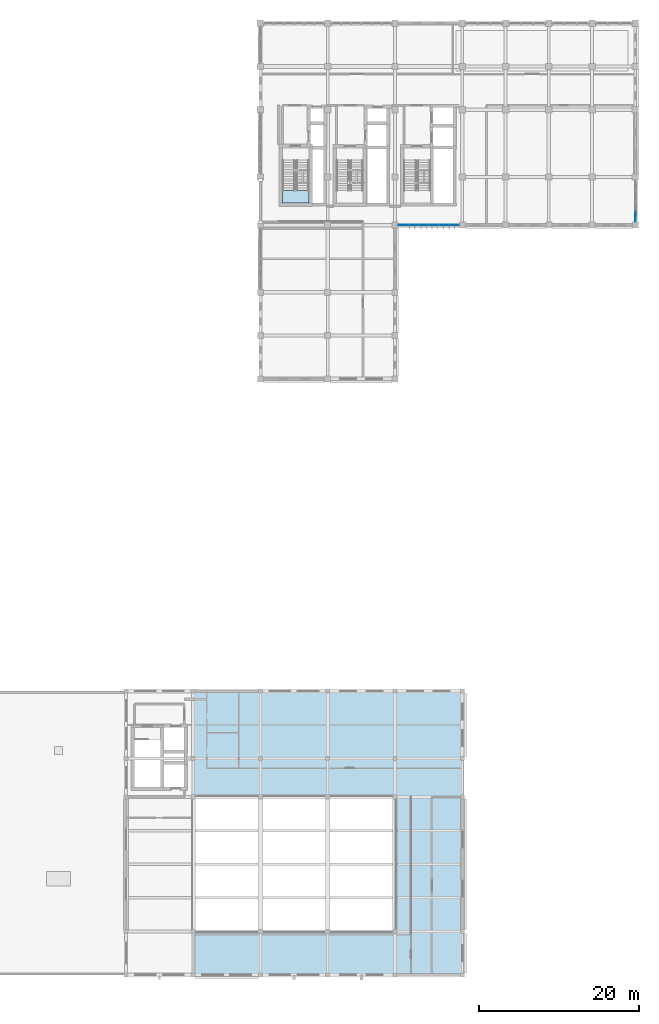
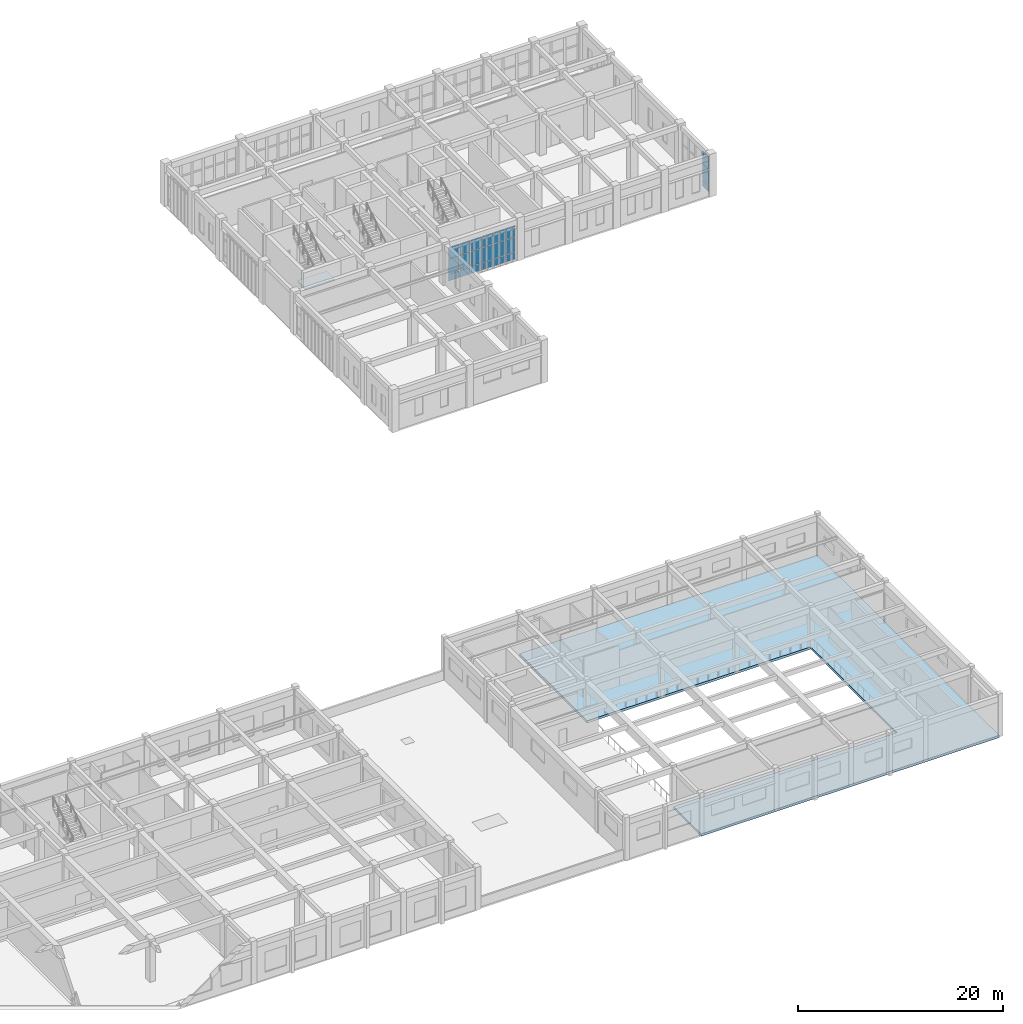
# One storey, part 51 of 77: 21 plates, 2 slabs, 3 elements without a shape of their own.
"""IFC4 building model written with IfcOpenShell, lengths in metres."""

from ifc_helpers import new_model, si_unit, direction, frame, origin, origin_2d, place, context, subcontext, project, spatial, polyline, rectangle, outline, extrude, material, layer, layer_set, type_object, element, aggregate, save


model = new_model("IFC4")

# Units and contexts
model_context = context("Model", 3, precision=1e-05, world=origin(), true_north=direction((0.0, 1.0)))
body_context = subcontext(model_context, "Body", "Model", "MODEL_VIEW")
ifc_project = project(units=[si_unit("LENGTHUNIT", "METRE"), si_unit("AREAUNIT", "SQUARE_METRE"), si_unit("VOLUMEUNIT", "CUBIC_METRE"), si_unit("PLANEANGLEUNIT", "RADIAN"), si_unit("MASSUNIT", "GRAM", prefix="KILO")], contexts=[model_context])

# Site, building, storey
site_placement = place(None, origin())
site = spatial("IfcSite", under=ifc_project, at=site_placement, CompositionType="ELEMENT")
building_placement = place(site_placement, origin())
building = spatial("IfcBuilding", under=site, at=building_placement, Name="Krzemoval Escarpment Law Courts", CompositionType="ELEMENT")
storey_placement = place(building_placement, frame((0.0, 0.0, 15.300048828125)))
storey = spatial("IfcBuildingStorey", under=building, at=storey_placement, Name="L03", CompositionType="ELEMENT", Elevation=15.300048828125)

# Curtain wall, plates
ifc_material_1 = material(Name="Aluminium 6063-T6", Category="aluminium")
ifc_layer_1 = layer(ifc_material_1, 0.239990234375)
ifc_layer_set_1 = layer_set([ifc_layer_1], Name="Aluminium 6063-T6")
curtain_wall_type = type_object("IfcCurtainWallType", Name="CW-CHMB-4800", PredefinedType="USERDEFINED", material=ifc_layer_set_1)
curtain_wall_1_placement = place(storey_placement, origin())
curtain_wall_1 = element("IfcCurtainWall", 1, at=curtain_wall_1_placement, inside=storey, type_object=curtain_wall_type, Name="Unitised Curtain Wall FCW-L03-120", ObjectType="UNITISED_CURTAIN_WALL", PredefinedType="USERDEFINED")
ifc_material_2 = material(Name="Triple Glazing IGU", Category="glass")
ifc_layer_2 = layer(ifc_material_2, 0.048095703125)
ifc_layer_set_2 = layer_set([ifc_layer_2], Name="Triple Glazing IGU")
plate_type = type_object("IfcPlateType", Name="CWP-GLZ-48", PredefinedType="CURTAIN_PANEL", material=ifc_layer_set_2)
plate_1_placement = place(storey_placement, frame((172.800048828125, 94.64697265625, 0.074951171875), z_axis=(0.0, 0.0, 1.0), x_axis=(0.0, -1.0, 0.0)))
plate_1 = element("IfcPlate", 2, at=plate_1_placement, type_object=plate_type, Name="FCW-L03-120 panel 4.1", PredefinedType="CURTAIN_PANEL", context=body_context, shape_type="SweptSolid", body=[
    extrude(rectangle(XDim=1.19384765625, YDim=0.048095703125, at=origin_2d()), origin(), (0.0, 0.0, 1.0), 0.78759765625),
])
plate_2_placement = place(storey_placement, frame((172.800048828125, 94.64697265625, 0.9375), z_axis=(0.0, 0.0, 1.0), x_axis=(0.0, -1.0, 0.0)))
plate_2 = element("IfcPlate", 3, at=plate_2_placement, type_object=plate_type, Name="FCW-L03-120 panel 4.2", PredefinedType="CURTAIN_PANEL", context=body_context, shape_type="SweptSolid", body=[
    extrude(rectangle(XDim=1.19384765625, YDim=0.048095703125, at=origin_2d()), origin(), (0.0, 0.0, 1.0), 1.72509765625),
])
plate_3_placement = place(storey_placement, frame((172.800048828125, 94.64697265625, 2.737548828125), z_axis=(0.0, 0.0, 1.0), x_axis=(0.0, -1.0, 0.0)))
plate_3 = element("IfcPlate", 4, at=plate_3_placement, type_object=plate_type, Name="FCW-L03-120 panel 4.3", PredefinedType="CURTAIN_PANEL", context=body_context, shape_type="SweptSolid", body=[
    extrude(rectangle(XDim=1.19384765625, YDim=0.048095703125, at=origin_2d()), origin(), (0.0, 0.0, 1.0), 1.4775390625),
])
aggregate(curtain_wall_1, [plate_1, plate_2, plate_3])

curtain_wall_2_placement = place(storey_placement, origin())
curtain_wall_2 = element("IfcCurtainWall", 5, at=curtain_wall_2_placement, inside=storey, type_object=curtain_wall_type, Name="Unitised Curtain Wall FCW-L03-121", ObjectType="UNITISED_CURTAIN_WALL", PredefinedType="USERDEFINED")
plate_4_placement = place(storey_placement, frame((150.168701171875, 93.60009765625, 0.074951171875), z_axis=(0.0, 0.0, 1.0), x_axis=(-1.0, 0.0, 0.0)))
plate_4 = element("IfcPlate", 6, at=plate_4_placement, type_object=plate_type, Name="FCW-L03-121 panel 1.1", PredefinedType="CURTAIN_PANEL", context=body_context, shape_type="SweptSolid", body=[
    extrude(rectangle(XDim=1.16259765625, YDim=0.048095703125, at=origin_2d()), origin(), (0.0, 0.0, 1.0), 0.78759765625),
])
plate_5_placement = place(storey_placement, frame((150.168701171875, 93.60009765625, 0.9375), z_axis=(0.0, 0.0, 1.0), x_axis=(-1.0, 0.0, 0.0)))
plate_5 = element("IfcPlate", 7, at=plate_5_placement, type_object=plate_type, Name="FCW-L03-121 panel 1.2", PredefinedType="CURTAIN_PANEL", context=body_context, shape_type="SweptSolid", body=[
    extrude(rectangle(XDim=1.16259765625, YDim=0.048095703125, at=origin_2d()), origin(), (0.0, 0.0, 1.0), 1.72509765625),
])
plate_6_placement = place(storey_placement, frame((150.168701171875, 93.60009765625, 2.7373046875), z_axis=(0.0, 0.0, 1.0), x_axis=(-1.0, 0.0, 0.0)))
plate_6 = element("IfcPlate", 8, at=plate_6_placement, type_object=plate_type, Name="FCW-L03-121 panel 1.3", PredefinedType="CURTAIN_PANEL", context=body_context, shape_type="SweptSolid", body=[
    extrude(rectangle(XDim=1.16259765625, YDim=0.048095703125, at=origin_2d()), origin(), (0.0, 0.0, 1.0), 1.327392578125),
])
plate_7_placement = place(storey_placement, frame((148.91259765625, 93.60009765625, 0.074951171875), z_axis=(0.0, 0.0, 1.0), x_axis=(-1.0, 0.0, 0.0)))
plate_7 = element("IfcPlate", 9, at=plate_7_placement, type_object=plate_type, Name="FCW-L03-121 panel 2.1", PredefinedType="CURTAIN_PANEL", context=body_context, shape_type="SweptSolid", body=[
    extrude(rectangle(XDim=1.199951171875, YDim=0.048095703125, at=origin_2d()), origin(), (0.0, 0.0, 1.0), 0.78759765625),
])
plate_8_placement = place(storey_placement, frame((148.91259765625, 93.60009765625, 0.9375), z_axis=(0.0, 0.0, 1.0), x_axis=(-1.0, 0.0, 0.0)))
plate_8 = element("IfcPlate", 10, at=plate_8_placement, type_object=plate_type, Name="FCW-L03-121 panel 2.2", PredefinedType="CURTAIN_PANEL", context=body_context, shape_type="SweptSolid", body=[
    extrude(rectangle(XDim=1.199951171875, YDim=0.048095703125, at=origin_2d()), origin(), (0.0, 0.0, 1.0), 1.72509765625),
])
plate_9_placement = place(storey_placement, frame((148.91259765625, 93.60009765625, 2.7373046875), z_axis=(0.0, 0.0, 1.0), x_axis=(-1.0, 0.0, 0.0)))
plate_9 = element("IfcPlate", 11, at=plate_9_placement, type_object=plate_type, Name="FCW-L03-121 panel 2.3", PredefinedType="CURTAIN_PANEL", context=body_context, shape_type="SweptSolid", body=[
    extrude(rectangle(XDim=1.199951171875, YDim=0.048095703125, at=origin_2d()), origin(), (0.0, 0.0, 1.0), 1.327392578125),
])
plate_10_placement = place(storey_placement, frame((147.637451171875, 93.60009765625, 0.074951171875), z_axis=(0.0, 0.0, 1.0), x_axis=(-1.0, 0.0, 0.0)))
plate_10 = element("IfcPlate", 12, at=plate_10_placement, type_object=plate_type, Name="FCW-L03-121 panel 3.1", PredefinedType="CURTAIN_PANEL", context=body_context, shape_type="SweptSolid", body=[
    extrude(rectangle(XDim=1.199951171875, YDim=0.048095703125, at=origin_2d()), origin(), (0.0, 0.0, 1.0), 0.78759765625),
])
plate_11_placement = place(storey_placement, frame((147.637451171875, 93.60009765625, 0.9375), z_axis=(0.0, 0.0, 1.0), x_axis=(-1.0, 0.0, 0.0)))
plate_11 = element("IfcPlate", 13, at=plate_11_placement, type_object=plate_type, Name="FCW-L03-121 panel 3.2", PredefinedType="CURTAIN_PANEL", context=body_context, shape_type="SweptSolid", body=[
    extrude(rectangle(XDim=1.199951171875, YDim=0.048095703125, at=origin_2d()), origin(), (0.0, 0.0, 1.0), 1.72509765625),
])
plate_12_placement = place(storey_placement, frame((147.637451171875, 93.60009765625, 2.7373046875), z_axis=(0.0, 0.0, 1.0), x_axis=(-1.0, 0.0, 0.0)))
plate_12 = element("IfcPlate", 14, at=plate_12_placement, type_object=plate_type, Name="FCW-L03-121 panel 3.3", PredefinedType="CURTAIN_PANEL", context=body_context, shape_type="SweptSolid", body=[
    extrude(rectangle(XDim=1.199951171875, YDim=0.048095703125, at=origin_2d()), origin(), (0.0, 0.0, 1.0), 1.327392578125),
])
plate_13_placement = place(storey_placement, frame((146.362548828125, 93.60009765625, 0.074951171875), z_axis=(0.0, 0.0, 1.0), x_axis=(-1.0, 0.0, 0.0)))
plate_13 = element("IfcPlate", 15, at=plate_13_placement, type_object=plate_type, Name="FCW-L03-121 panel 4.1", PredefinedType="CURTAIN_PANEL", context=body_context, shape_type="SweptSolid", body=[
    extrude(rectangle(XDim=1.199951171875, YDim=0.048095703125, at=origin_2d()), origin(), (0.0, 0.0, 1.0), 0.78759765625),
])
plate_14_placement = place(storey_placement, frame((146.362548828125, 93.60009765625, 0.9375), z_axis=(0.0, 0.0, 1.0), x_axis=(-1.0, 0.0, 0.0)))
plate_14 = element("IfcPlate", 16, at=plate_14_placement, type_object=plate_type, Name="FCW-L03-121 panel 4.2", PredefinedType="CURTAIN_PANEL", context=body_context, shape_type="SweptSolid", body=[
    extrude(rectangle(XDim=1.199951171875, YDim=0.048095703125, at=origin_2d()), origin(), (0.0, 0.0, 1.0), 1.72509765625),
])
plate_15_placement = place(storey_placement, frame((146.362548828125, 93.60009765625, 2.7373046875), z_axis=(0.0, 0.0, 1.0), x_axis=(-1.0, 0.0, 0.0)))
plate_15 = element("IfcPlate", 17, at=plate_15_placement, type_object=plate_type, Name="FCW-L03-121 panel 4.3", PredefinedType="CURTAIN_PANEL", context=body_context, shape_type="SweptSolid", body=[
    extrude(rectangle(XDim=1.199951171875, YDim=0.048095703125, at=origin_2d()), origin(), (0.0, 0.0, 1.0), 1.327392578125),
])
plate_16_placement = place(storey_placement, frame((145.08740234375, 93.60009765625, 0.074951171875), z_axis=(0.0, 0.0, 1.0), x_axis=(-1.0, 0.0, 0.0)))
plate_16 = element("IfcPlate", 18, at=plate_16_placement, type_object=plate_type, Name="FCW-L03-121 panel 5.1", PredefinedType="CURTAIN_PANEL", context=body_context, shape_type="SweptSolid", body=[
    extrude(rectangle(XDim=1.199951171875, YDim=0.048095703125, at=origin_2d()), origin(), (0.0, 0.0, 1.0), 0.78759765625),
])
plate_17_placement = place(storey_placement, frame((145.08740234375, 93.60009765625, 0.9375), z_axis=(0.0, 0.0, 1.0), x_axis=(-1.0, 0.0, 0.0)))
plate_17 = element("IfcPlate", 19, at=plate_17_placement, type_object=plate_type, Name="FCW-L03-121 panel 5.2", PredefinedType="CURTAIN_PANEL", context=body_context, shape_type="SweptSolid", body=[
    extrude(rectangle(XDim=1.199951171875, YDim=0.048095703125, at=origin_2d()), origin(), (0.0, 0.0, 1.0), 1.72509765625),
])
plate_18_placement = place(storey_placement, frame((145.08740234375, 93.60009765625, 2.7373046875), z_axis=(0.0, 0.0, 1.0), x_axis=(-1.0, 0.0, 0.0)))
plate_18 = element("IfcPlate", 20, at=plate_18_placement, type_object=plate_type, Name="FCW-L03-121 panel 5.3", PredefinedType="CURTAIN_PANEL", context=body_context, shape_type="SweptSolid", body=[
    extrude(rectangle(XDim=1.199951171875, YDim=0.048095703125, at=origin_2d()), origin(), (0.0, 0.0, 1.0), 1.327392578125),
])
plate_19_placement = place(storey_placement, frame((143.831298828125, 93.60009765625, 0.074951171875), z_axis=(0.0, 0.0, 1.0), x_axis=(-1.0, 0.0, 0.0)))
plate_19 = element("IfcPlate", 21, at=plate_19_placement, type_object=plate_type, Name="FCW-L03-121 panel 6.1", PredefinedType="CURTAIN_PANEL", context=body_context, shape_type="SweptSolid", body=[
    extrude(rectangle(XDim=1.16259765625, YDim=0.048095703125, at=origin_2d()), origin(), (0.0, 0.0, 1.0), 0.78759765625),
])
plate_20_placement = place(storey_placement, frame((143.831298828125, 93.60009765625, 0.9375), z_axis=(0.0, 0.0, 1.0), x_axis=(-1.0, 0.0, 0.0)))
plate_20 = element("IfcPlate", 22, at=plate_20_placement, type_object=plate_type, Name="FCW-L03-121 panel 6.2", PredefinedType="CURTAIN_PANEL", context=body_context, shape_type="SweptSolid", body=[
    extrude(rectangle(XDim=1.16259765625, YDim=0.048095703125, at=origin_2d()), origin(), (0.0, 0.0, 1.0), 1.72509765625),
])
plate_21_placement = place(storey_placement, frame((143.831298828125, 93.60009765625, 2.7373046875), z_axis=(0.0, 0.0, 1.0), x_axis=(-1.0, 0.0, 0.0)))
plate_21 = element("IfcPlate", 23, at=plate_21_placement, type_object=plate_type, Name="FCW-L03-121 panel 6.3", PredefinedType="CURTAIN_PANEL", context=body_context, shape_type="SweptSolid", body=[
    extrude(rectangle(XDim=1.16259765625, YDim=0.048095703125, at=origin_2d()), origin(), (0.0, 0.0, 1.0), 1.327392578125),
])
aggregate(curtain_wall_2, [plate_4, plate_5, plate_6, plate_7, plate_8, plate_9, plate_10, plate_11, plate_12, plate_13, plate_14, plate_15, plate_16, plate_17, plate_18, plate_19, plate_20, plate_21])

# Stair, slab
ifc_material_3 = material(Name="Concrete C40/50", Category="concrete")
stair_type = type_object("IfcStairType", Name="STR-CORE-1550", PredefinedType="HALF_TURN_STAIR", material=ifc_material_3)
stair_placement = place(storey_placement, origin())
stair = element("IfcStair", 24, at=stair_placement, inside=storey, type_object=stair_type, Name="L03 ST1", PredefinedType="HALF_TURN_STAIR")
ifc_material_4 = material(Name="Concrete C40/50", Category="concrete")
ifc_layer_3 = layer(ifc_material_4, 0.199951171875)
ifc_layer_set_3 = layer_set([ifc_layer_3], Name="Concrete C40/50")
slab_type_1 = type_object("IfcSlabType", Name="SL-LND-200", PredefinedType="LANDING", material=ifc_layer_set_3)
slab_1_placement = place(storey_placement, frame((0.0, 0.0, 2.349853515625)))
slab_1 = element("IfcSlab", 25, at=slab_1_placement, type_object=slab_type_1, Name="ST1 landing 1", PredefinedType="LANDING", context=body_context, shape_type="SweptSolid", body=[
    extrude(outline(polyline([(128.75, 97.929931640625), (128.75, 96.35009765625), (132.050048828125, 96.35009765625), (132.050048828125, 97.929931640625), (128.75, 97.929931640625)])), origin(), (0.0, 0.0, 1.0), 0.2001953125),
])
aggregate(stair, [slab_1])

# Slab
ifc_material_5 = material(Name="Concrete C50/60", Category="concrete")
ifc_layer_4 = layer(ifc_material_5, 0.280029296875)
ifc_layer_set_4 = layer_set([ifc_layer_4], Name="Concrete C50/60")
slab_type_2 = type_object("IfcSlabType", Name="SL-PT-280", PredefinedType="FLOOR", material=ifc_layer_set_4)
slab_2_placement = place(storey_placement, frame((0.0, 0.0, -0.280029296875)))
element("IfcSlab", 26, at=slab_2_placement, inside=storey, type_object=slab_type_2, Name="Floor Slab SL-L03-V3-039", PredefinedType="FLOOR", context=body_context, shape_type="SweptSolid", body=[
    extrude(outline(polyline([(142.800048828125, 22.199951171875), (117.639892578125, 22.199951171875), (117.639892578125, 35.39990234375), (151.199951171875, 35.39990234375), (151.199951171875, 0.0), (117.639892578125, 0.0), (117.639892578125, 5.39990234375), (142.800048828125, 5.39990234375), (142.800048828125, 22.199951171875)])), origin(), (0.0, 0.0, 1.0), 0.280029296875),
])

save(model, "model.ifc")
